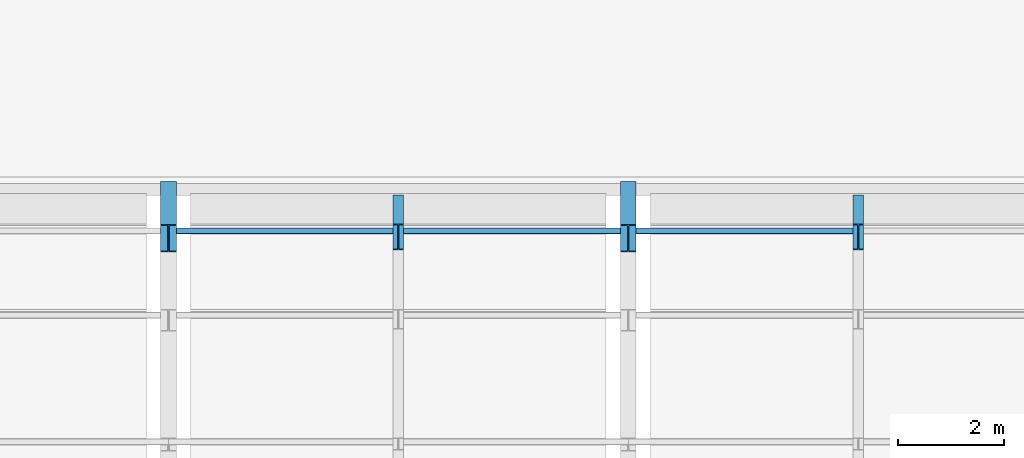
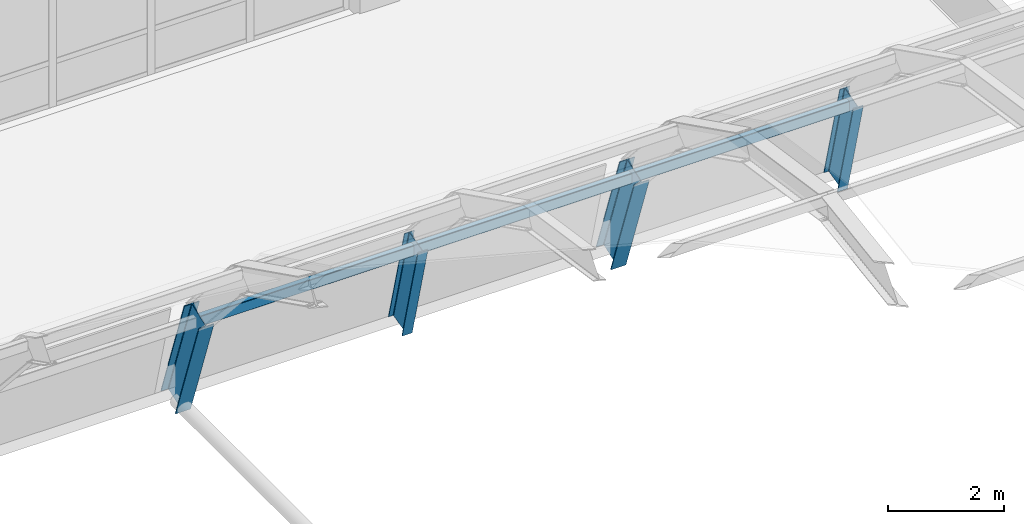
# One storey, part 59 of 124: 4 beams, 3 members.
"""IFC4 building model written with IfcOpenShell, lengths in metres."""

import ifcopenshell
import ifcopenshell.guid

model = None  # the IFC model being written
_history = None  # IfcOwnerHistory: only IFC2X3 demands one
_inside = {}  # id of a spatial element -> (the spatial element, [elements in it])
_under = {}  # id of a project, library or spatial element -> (it, [spatial elements below it])
_declared = {}  # id of a project -> (the project, [libraries it declares])
_typed = {}  # id of a type object -> (the type object, [elements of that type])
_made_of = {}  # id of a material, layer set ... -> (it, [elements and type objects made of it])


def new_model(schema):
    """Start an empty IFC model of exactly this schema.

    Asked for "IFC4X3", IfcOpenShell would pick the latest addendum, in which some entities
    have other attributes; the version numbers below select the first issue.
    IFC2X3 requires an IfcOwnerHistory on every rooted entity: one is made here for all.
    """
    global model, _history
    if schema == "IFC4X3":
        model = ifcopenshell.file(schema_version=(4, 3, 0, 0))
    else:
        model = ifcopenshell.file(schema=schema)
    _inside.clear()
    _under.clear()
    _declared.clear()
    _typed.clear()
    _made_of.clear()
    _history = None
    if model.schema == "IFC2X3":
        org = make("IfcOrganization", Name="unknown")
        user = make(
            "IfcPersonAndOrganization",
            ThePerson=make("IfcPerson", FamilyName="unknown"),
            TheOrganization=org,
        )
        app = make(
            "IfcApplication",
            ApplicationDeveloper=org,
            Version="unknown",
            ApplicationFullName="unknown",
            ApplicationIdentifier="unknown",
        )
        _history = make(
            "IfcOwnerHistory",
            OwningUser=user,
            OwningApplication=app,
            ChangeAction="ADDED",
            CreationDate=0,
        )
    return model


def make(cls, **values):
    """One entity of the class cls with the attributes given. An attribute that is None is left unset."""
    return model.create_entity(
        cls, **{name: value for name, value in values.items() if value is not None}
    )


def rooted(cls, **values):
    """An entity with a GlobalId (a new one), such as an element, a storey or a relation."""
    return make(cls, GlobalId=ifcopenshell.guid.new(), OwnerHistory=_history, **values)


def si_unit(unit_type, name, prefix=None):
    """IfcSIUnit, for example si_unit("LENGTHUNIT", "METRE", prefix="MILLI")."""
    return make("IfcSIUnit", UnitType=unit_type, Prefix=prefix, Name=name)


def derived_unit(unit_type, elements):
    """IfcDerivedUnit: a product of units, each with its exponent."""
    return make(
        "IfcDerivedUnit",
        Elements=[
            make("IfcDerivedUnitElement", Unit=unit, Exponent=power)
            for unit, power in elements
        ],
        UnitType=unit_type,
    )


def assignment(units):
    """IfcUnitAssignment: the units of a project."""
    return None if units is None else make("IfcUnitAssignment", Units=units)


def point(xyz):
    """IfcCartesianPoint."""
    return None if xyz is None else make("IfcCartesianPoint", Coordinates=xyz)


def direction(xyz):
    """IfcDirection."""
    return None if xyz is None else make("IfcDirection", DirectionRatios=xyz)


def frame(location, z_axis=None, x_axis=None):
    """IfcAxis2Placement3D, a coordinate frame: its origin and axes. An axis left out is left unset."""
    return make(
        "IfcAxis2Placement3D",
        Location=point(location),
        Axis=direction(z_axis),
        RefDirection=direction(x_axis),
    )


def frame_2d(location, x_axis=None):
    """IfcAxis2Placement2D, a coordinate frame in the plane: its origin and x axis."""
    return make(
        "IfcAxis2Placement2D", Location=point(location), RefDirection=direction(x_axis)
    )


def origin():
    """The frame at (0, 0, 0) with its axes left unset."""
    return frame((0.0, 0.0, 0.0))


def origin_2d():
    """The frame at (0, 0) in the plane with its x axis left unset."""
    return frame_2d((0.0, 0.0))


def place(relative_to, where):
    """IfcLocalPlacement: puts the frame where relative to a parent placement (None: the world)."""
    return make(
        "IfcLocalPlacement", PlacementRelTo=relative_to, RelativePlacement=where
    )


def context(
    kind, dimensions, precision=None, world=None, true_north=None, identifier=None
):
    """IfcGeometricRepresentationContext, for example the 3D "Model" context."""
    return make(
        "IfcGeometricRepresentationContext",
        ContextIdentifier=identifier,
        ContextType=kind,
        CoordinateSpaceDimension=dimensions,
        Precision=precision,
        WorldCoordinateSystem=world,
        TrueNorth=true_north,
    )


def subcontext(parent, identifier, kind, view, scale=None):
    """IfcGeometricRepresentationSubContext, for example "Body" below "Model"."""
    return make(
        "IfcGeometricRepresentationSubContext",
        ContextIdentifier=identifier,
        ContextType=kind,
        ParentContext=parent,
        TargetScale=scale,
        TargetView=view,
    )


def project(units=None, contexts=None):
    """IfcProject with its units and contexts."""
    return rooted(
        "IfcProject",
        Name="project",
        RepresentationContexts=contexts,
        UnitsInContext=assignment(units),
    )


def spatial(cls, under=None, at=None, **own):
    """A site, building, storey or space (cls), placed at a placement, below another one or the project."""
    s = rooted(cls, ObjectPlacement=at, **own)
    if under is not None:
        _under.setdefault(under.id(), (under, []))[1].append(s)
    return s


def profile(cls, at=None, kind="AREA", **sizes):
    """A parametric profile (cls). Its sizes go by their IFC names, for example OverallWidth=200.0."""
    return make(cls, ProfileType=kind, Position=at, **sizes)


def hollow_rectangle(**sizes):
    """IfcRectangleHollowProfileDef."""
    return profile("IfcRectangleHollowProfileDef", **sizes)


def i_section(**sizes):
    """IfcIShapeProfileDef."""
    return profile("IfcIShapeProfileDef", **sizes)


def extrude(swept, where, along, depth):
    """IfcExtrudedAreaSolid: the profile swept, set in the frame where, extruded along a direction by depth."""
    return make(
        "IfcExtrudedAreaSolid",
        SweptArea=swept,
        Position=where,
        ExtrudedDirection=direction(along),
        Depth=depth,
    )


def shape(context_of_items, identifier, shape_type, items):
    """IfcShapeRepresentation: the items that make up one representation, for example the "Body"."""
    return make(
        "IfcShapeRepresentation",
        ContextOfItems=context_of_items,
        RepresentationIdentifier=identifier,
        RepresentationType=shape_type,
        Items=items,
    )


def material(Name=None, Category=None):
    """IfcMaterial."""
    return make("IfcMaterial", Name=Name, Category=Category)


def material_profile(
    of_material, cross_section, Name=None, Category=None, Priority=None
):
    """IfcMaterialProfile: a cross section and its material."""
    return make(
        "IfcMaterialProfile",
        Name=Name,
        Material=of_material,
        Profile=cross_section,
        Priority=Priority,
        Category=Category,
    )


def profile_set(profiles, Name=None, composite=None):
    """IfcMaterialProfileSet."""
    return make(
        "IfcMaterialProfileSet",
        Name=Name,
        MaterialProfiles=profiles,
        CompositeProfile=composite,
    )


def made_of(thing, what):
    """Note that an element or type object is made of a material, layer set ...; save() writes the relation."""
    if what is not None:
        _made_of.setdefault(what.id(), (what, []))[1].append(thing)
    return thing


def type_object(cls, material=None, **own):
    """A type object (cls), such as IfcWallType, which elements share."""
    return made_of(rooted(cls, **own), material)


def element(
    cls,
    number,
    at=None,
    inside=None,
    cuts=None,
    type_object=None,
    material=None,
    context=None,
    identifier="Body",
    shape_type=None,
    held_by="IfcProductDefinitionShape",
    body=None,
    shapes=None,
    **own,
):
    """One element of the class cls, such as IfcWall. Its Tag is "e" and its number.

    at: its placement. inside: the storey or other place that contains it. cuts: it is an
    opening in that element (IfcRelVoidsElement). A single representation is given by context,
    identifier, shape_type and body (its items); several are given by shapes. held_by: the class
    of the entity that holds the representations. save() writes the other relations.
    """
    e = rooted(cls, Tag="e%d" % number, ObjectPlacement=at, **own)
    if body is not None:
        shapes = [shape(context, identifier, shape_type, body)]
    if shapes is not None:
        e.Representation = make(held_by, Representations=shapes)
    if inside is not None:
        _inside.setdefault(inside.id(), (inside, []))[1].append(e)
    if cuts is not None:
        rooted(
            "IfcRelVoidsElement", RelatingBuildingElement=cuts, RelatedOpeningElement=e
        )
    if type_object is not None:
        _typed.setdefault(type_object.id(), (type_object, []))[1].append(e)
    return made_of(e, material)


def aggregate(whole, parts):
    """IfcRelAggregates: a whole, such as a stair, and the parts it consists of."""
    return rooted("IfcRelAggregates", RelatingObject=whole, RelatedObjects=parts)


def save(model, path):
    """Write the relations noted so far, then the file.

    IfcRelAggregates (storeys below a building ...), IfcRelContainedInSpatialStructure (elements
    in a storey), IfcRelDefinesByType, IfcRelAssociatesMaterial and IfcRelDeclares: one each for
    every whole, place, type object, material and project.
    """
    for whole, parts in _under.values():
        aggregate(whole, parts)
    for where, things in _inside.values():
        rooted(
            "IfcRelContainedInSpatialStructure",
            RelatedElements=things,
            RelatingStructure=where,
        )
    for kind, things in _typed.values():
        rooted("IfcRelDefinesByType", RelatedObjects=things, RelatingType=kind)
    for what, things in _made_of.values():
        rooted("IfcRelAssociatesMaterial", RelatedObjects=things, RelatingMaterial=what)
    for by, libraries in _declared.values():
        rooted("IfcRelDeclares", RelatingContext=by, RelatedDefinitions=libraries)
    model.write(path)


model = new_model("IFC4")

# Units and contexts
model_context = context("Model", 3, precision=1e-05, world=origin(), true_north=direction((0.0, 1.0)))
body_context = subcontext(model_context, "Body", "Model", "MODEL_VIEW")
ifc_project = project(units=[si_unit("LENGTHUNIT", "METRE"), si_unit("AREAUNIT", "SQUARE_METRE"), si_unit("VOLUMEUNIT", "CUBIC_METRE"), si_unit("PLANEANGLEUNIT", "RADIAN"), si_unit("MASSUNIT", "GRAM", prefix="KILO"), derived_unit("THERMALTRANSMITTANCEUNIT", [(si_unit("MASSUNIT", "GRAM", prefix="KILO"), 1), (si_unit("TIMEUNIT", "SECOND"), -3), (si_unit("THERMODYNAMICTEMPERATUREUNIT", "KELVIN"), -1)])], contexts=[model_context])

# Site, building, storey
site_placement = place(None, origin())
site = spatial("IfcSite", under=ifc_project, at=site_placement, CompositionType="ELEMENT")
building_placement = place(site_placement, origin())
building = spatial("IfcBuilding", under=site, at=building_placement, Name="Qinzheling Arcade Emporium", CompositionType="ELEMENT")
storey_placement = place(building_placement, frame((0.0, 0.0, 16.5)))
storey = spatial("IfcBuildingStorey", under=building, at=storey_placement, Name="L04", CompositionType="ELEMENT", Elevation=16.5)

# Beams
ifc_material = material(Name="Weathering steel Q355NH", Category="steel")
ifc_material_profile_1 = material_profile(ifc_material, i_section(OverallWidth=0.199951171875, OverallDepth=0.5, WebThickness=0.010009765625, FlangeThickness=0.01611328125, FilletRadius=0.01806640625, at=origin_2d()), Name="HN 500x200x10x16", Category="steel")
ifc_profile_set_1 = profile_set([ifc_material_profile_1], Name="Weathering steel Q355NH")
beam_type_1 = type_object("IfcBeamType", Name="Arcade End Arch Rib HN500 Q355NH", PredefinedType="BEAM", material=ifc_profile_set_1)
for number, where, z_axis, x_axis, name in (
    (1, (117.449951171875, 64.611083984375, 2.02490234375), (0.0, 0.254114916453, -0.967174032549), (-1.0, 0.0, 0.0), "Arcade Sub-Rib VLT-ARCADE-SRIB-B02-S08"),
    (2, (126.14990234375, 64.611083984375, 2.02490234375), (0.0, 0.254114916453, -0.967174032549), (-1.0, 0.0, 0.0), "Arcade Sub-Rib VLT-ARCADE-SRIB-B03-S08"),
):
    element("IfcBeam", number, at=place(storey_placement, frame(where, z_axis=z_axis, x_axis=x_axis)), inside=storey, type_object=beam_type_1, Name=name, PredefinedType="BEAM", context=body_context, shape_type="SweptSolid", body=[
        extrude(i_section(OverallWidth=0.199951171875, OverallDepth=0.5, WebThickness=0.010009765625, FlangeThickness=0.01611328125, FilletRadius=0.01806640625, at=origin_2d()), origin(), (0.0, 0.0, 1.0), 2.15966796875),
    ])

# Members
ifc_material_profile_2 = material_profile(ifc_material, hollow_rectangle(XDim=0.1201171875, YDim=0.219970703125, WallThickness=0.008056640625, InnerFilletRadius=0.008056640625, OuterFilletRadius=0.01611328125, at=origin_2d()), Name="RHS 220x120x8", Category="steel")
ifc_profile_set_2 = profile_set([ifc_material_profile_2], Name="Weathering steel Q355NH")
member_type = type_object("IfcMemberType", Name="Arcade Skylight Purlin RHS220 Q355NH", PredefinedType="PURLIN", material=ifc_profile_set_2)
member_1_placement = place(storey_placement, frame((113.10009765625, 64.72607421875, 1.7958984375), z_axis=(1.0, 0.0, 0.0), x_axis=(0.0, 1.0, 0.0)))
element("IfcMember", 3, at=member_1_placement, inside=storey, type_object=member_type, Name="Arcade Skylight Purlin VLT-ARCADE-PUR-B02-N07-1", PredefinedType="PURLIN", context=body_context, shape_type="SweptSolid", body=[
    extrude(hollow_rectangle(XDim=0.1201171875, YDim=0.219970703125, WallThickness=0.008056640625, InnerFilletRadius=0.008056640625, OuterFilletRadius=0.01611328125, at=origin_2d()), origin(), (0.0, 0.0, 1.0), 4.349853515625),
])
member_2_placement = place(storey_placement, frame((117.449951171875, 64.72607421875, 1.7958984375), z_axis=(1.0, 0.0, 0.0), x_axis=(0.0, 1.0, 0.0)))
element("IfcMember", 4, at=member_2_placement, inside=storey, type_object=member_type, Name="Arcade Skylight Purlin VLT-ARCADE-PUR-B02-N07-2", PredefinedType="PURLIN", context=body_context, shape_type="SweptSolid", body=[
    extrude(hollow_rectangle(XDim=0.1201171875, YDim=0.219970703125, WallThickness=0.008056640625, InnerFilletRadius=0.008056640625, OuterFilletRadius=0.01611328125, at=origin_2d()), origin(), (0.0, 0.0, 1.0), 4.35009765625),
])
member_3_placement = place(storey_placement, frame((121.800048828125, 64.72607421875, 1.7958984375), z_axis=(1.0, 0.0, 0.0), x_axis=(0.0, 1.0, 0.0)))
element("IfcMember", 5, at=member_3_placement, inside=storey, type_object=member_type, Name="Arcade Skylight Purlin VLT-ARCADE-PUR-B03-N07-1", PredefinedType="PURLIN", context=body_context, shape_type="SweptSolid", body=[
    extrude(hollow_rectangle(XDim=0.1201171875, YDim=0.219970703125, WallThickness=0.008056640625, InnerFilletRadius=0.008056640625, OuterFilletRadius=0.01611328125, at=origin_2d()), origin(), (0.0, 0.0, 1.0), 4.349853515625),
])

# Beams
ifc_material_profile_3 = material_profile(ifc_material, i_section(OverallWidth=0.300048828125, OverallDepth=0.550048828125, WebThickness=0.010986328125, FlangeThickness=0.01806640625, FilletRadius=0.02197265625, at=origin_2d()), Name="HN 550x300x11x18", Category="steel")
ifc_profile_set_3 = profile_set([ifc_material_profile_3], Name="Weathering steel Q355NH")
beam_type_2 = type_object("IfcBeamType", Name="Arcade Vault Arch Rib HN550 Q355NH", PredefinedType="BEAM", material=ifc_profile_set_3)
for number, where, z_axis, x_axis, name in (
    (6, (113.10009765625, 64.5869140625, 2.011962890625), (0.0, 0.334966009036, -0.942230212204), (-1.0, 0.0, 0.0), "Arcade Arch Rib VLT-ARCADE-RIB-02-S08"),
    (7, (121.800048828125, 64.5869140625, 2.011962890625), (0.0, 0.334966009036, -0.942230212204), (-1.0, 0.0, 0.0), "Arcade Arch Rib VLT-ARCADE-RIB-03-S08"),
):
    element("IfcBeam", number, at=place(storey_placement, frame(where, z_axis=z_axis, x_axis=x_axis)), inside=storey, type_object=beam_type_2, Name=name, PredefinedType="BEAM", context=body_context, shape_type="SweptSolid", body=[
        extrude(i_section(OverallWidth=0.300048828125, OverallDepth=0.550048828125, WebThickness=0.010986328125, FlangeThickness=0.01806640625, FilletRadius=0.02197265625, at=origin_2d()), origin(), (0.0, 0.0, 1.0), 2.427001953125),
    ])

save(model, "model.ifc")
